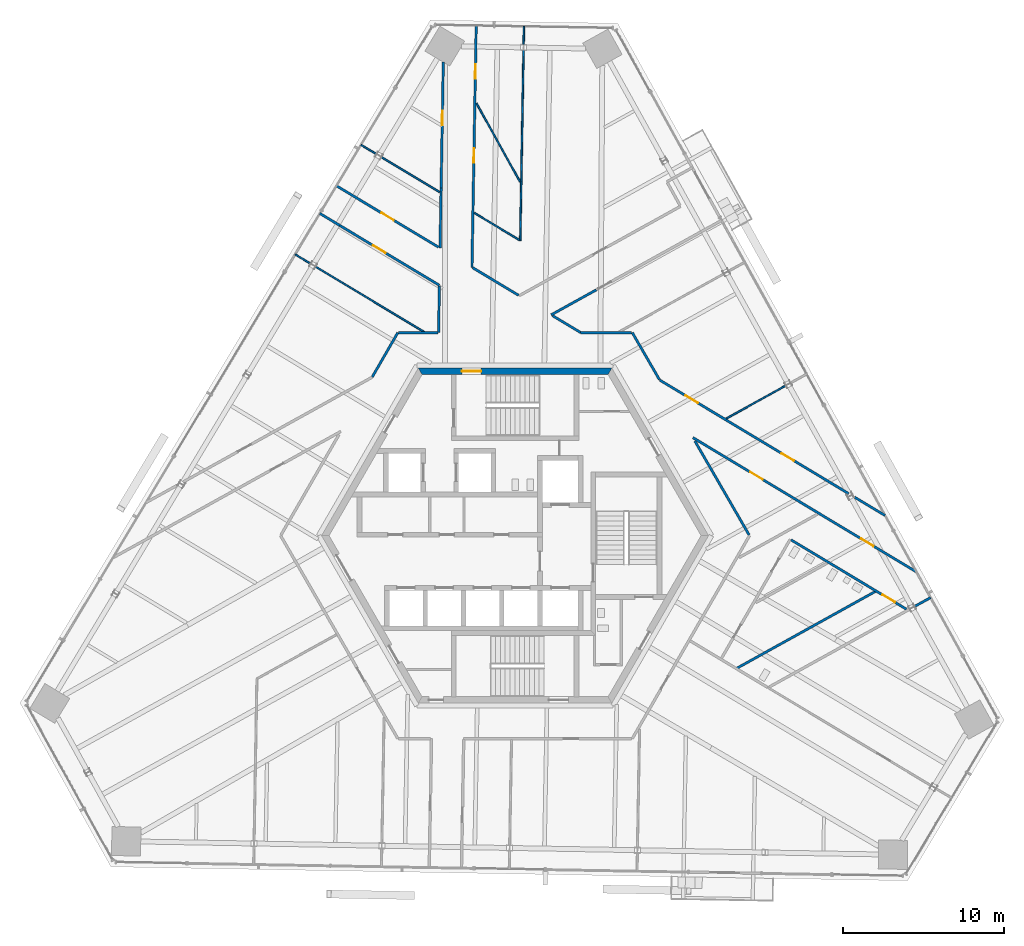
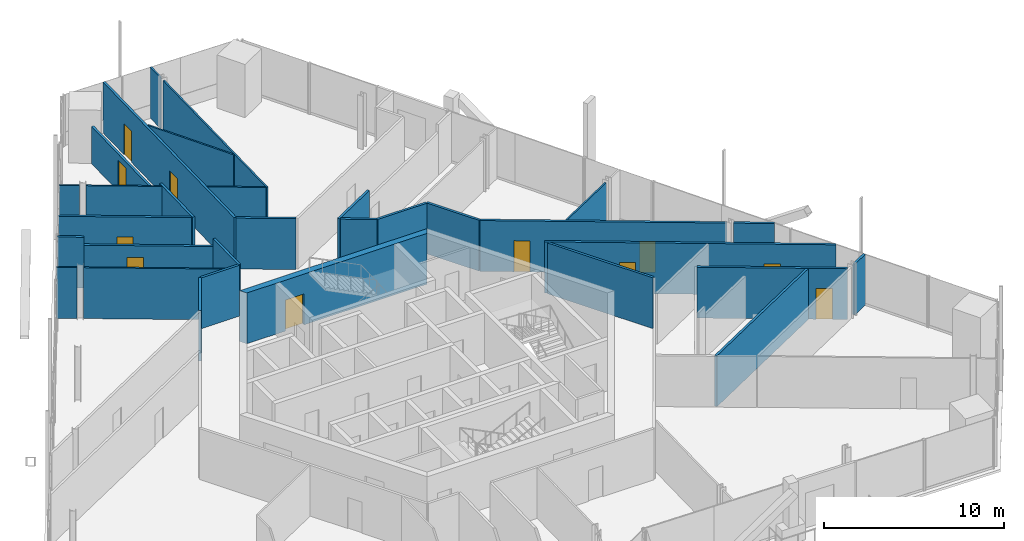
# One storey, part 14 of 21: 31 walls, 11 doors, 11 openings.
"""IFC4 building model written with IfcOpenShell, lengths in metres."""

from ifc_helpers import new_model, si_unit, direction, frame, frame_2d, origin, place, context, subcontext, project, spatial, polyline, rectangle, outline, extrude, source, transform, mapped, material, layer, layer_set, type_object, element, fill, save


model = new_model("IFC4")

# Units and contexts
model_context = context("Model", 3, precision=1e-05, world=origin(), true_north=direction((0.0, 1.0)))
body_context = subcontext(model_context, "Body", "Model", "MODEL_VIEW")
ifc_project = project(units=[si_unit("LENGTHUNIT", "METRE"), si_unit("AREAUNIT", "SQUARE_METRE"), si_unit("VOLUMEUNIT", "CUBIC_METRE"), si_unit("PLANEANGLEUNIT", "RADIAN"), si_unit("MASSUNIT", "GRAM", prefix="KILO")], contexts=[model_context])

# Site, building, storey
site_placement = place(None, origin())
site = spatial("IfcSite", under=ifc_project, at=site_placement, CompositionType="ELEMENT")
building_placement = place(site_placement, origin())
building = spatial("IfcBuilding", under=site, at=building_placement, Name="Triune Harvest Tower", CompositionType="ELEMENT")
storey_placement = place(building_placement, frame((0.0, 0.0, 201.5)))
storey = spatial("IfcBuildingStorey", under=building, at=storey_placement, Name="L52", CompositionType="ELEMENT", Elevation=201.5)

# Wall, opening, door
ifc_material_1 = material(Name="Gypsum board on steel studs", Category="steel")
ifc_layer_1 = layer(ifc_material_1, 0.14990234375)
ifc_layer_set_1 = layer_set([ifc_layer_1], Name="Gypsum board on steel studs")
wall_type_1 = type_object("IfcWallType", Name="Fire Partition 150 mm", PredefinedType="PARTITIONING", material=ifc_layer_set_1)
wall_1_placement = place(storey_placement, frame((-10.86767578125, 19.235595703125, 0.0), z_axis=(0.0, 0.0, 1.0), x_axis=(0.857163785193, -0.515043925654, 0.0)))
wall_1 = element("IfcWall", 1, at=wall_1_placement, inside=storey, type_object=wall_type_1, Name="Partition L52 012a", PredefinedType="PARTITIONING", context=body_context, shape_type="SweptSolid", body=[
    extrude(rectangle(XDim=7.203125, YDim=0.14990234375, at=frame_2d((3.6015625, 0.0))), origin(), (0.0, 0.0, 1.0), 2.904052734375),
])
opening_1_placement = place(wall_1_placement, frame((2.3955078125, 0.0, 0.0)))
opening_1 = element("IfcOpeningElement", 2, at=opening_1_placement, cuts=wall_1, Name="Opening L52-013", PredefinedType="OPENING", context=body_context, shape_type="SweptSolid", body=[
    extrude(rectangle(XDim=0.89990234375, YDim=2.10009765625, at=frame_2d((0.449951171875, 1.050048828125))), frame((0.0, 0.0849609375, 0.0), z_axis=(0.0, -1.0, 0.0), x_axis=(1.0, 0.0, 0.0)), (0.0, 0.0, 1.0), 0.169921875),
])
ifc_material_2 = material(Name="Timber and steel door set", Category="steel")
door_type_1 = type_object("IfcDoorType", Name="Single leaf door FD30 right hand 900 x 2100", OperationType="SINGLE_SWING_RIGHT", PredefinedType="DOOR", material=ifc_material_2)
door_1_placement = place(opening_1_placement, origin())
door_1 = element("IfcDoor", 3, at=door_1_placement, inside=storey, type_object=door_type_1, Name="Door L52-013 Meeting Room 52.13", OperationType="SINGLE_SWING_RIGHT", OverallHeight=2.10009765625, OverallWidth=0.89990234375, PredefinedType="DOOR", context=body_context, shape_type="SweptSolid", body=[
    extrude(rectangle(XDim=0.89990234375, YDim=2.10009765625, at=frame_2d((0.449951171875, 1.050048828125))), frame((0.0, 0.02490234375, 0.0), z_axis=(0.0, -1.0, 0.0), x_axis=(1.0, 0.0, 0.0)), (0.0, 0.0, 1.0), 0.050048828125),
])
fill(opening_1, door_1)

wall_2_placement = place(storey_placement, frame((-4.587890625, 21.5732421875, 0.0), z_axis=(0.0, 0.0, 1.0), x_axis=(0.017477005047, 0.999847265483, 0.0)))
wall_2 = element("IfcWall", 4, at=wall_2_placement, inside=storey, type_object=wall_type_1, Name="Partition L52 056a", PredefinedType="PARTITIONING", context=body_context, shape_type="SweptSolid", body=[
    extrude(rectangle(XDim=7.808837890625, YDim=0.14990234375, at=frame_2d((3.904296875, 0.0))), origin(), (0.0, 0.0, 1.0), 2.51806640625),
])
opening_2_placement = place(wall_2_placement, frame((3.87353515625, 0.0, 0.0)))
opening_2 = element("IfcOpeningElement", 5, at=opening_2_placement, cuts=wall_2, Name="Opening L52-011", PredefinedType="OPENING", context=body_context, shape_type="SweptSolid", body=[
    extrude(rectangle(XDim=0.89990234375, YDim=2.10009765625, at=frame_2d((0.449951171875, 1.050048828125))), frame((0.0, 0.0849609375, 0.0), z_axis=(0.0, -1.0, 0.0), x_axis=(1.0, 0.0, 0.0)), (0.0, 0.0, 1.0), 0.169921875),
])
door_2_placement = place(opening_2_placement, origin())
door_2 = element("IfcDoor", 6, at=door_2_placement, inside=storey, type_object=door_type_1, Name="Door L52-011 Meeting Room 52.11", OperationType="SINGLE_SWING_RIGHT", OverallHeight=2.10009765625, OverallWidth=0.89990234375, PredefinedType="DOOR", context=body_context, shape_type="SweptSolid", body=[
    extrude(rectangle(XDim=0.89990234375, YDim=2.10009765625, at=frame_2d((0.449951171875, 1.050048828125))), frame((0.0, 0.02490234375, 0.0), z_axis=(0.0, -1.0, 0.0), x_axis=(1.0, 0.0, 0.0)), (0.0, 0.0, 1.0), 0.050048828125),
])
fill(opening_2, door_2)

ifc_material_3 = material(Name="Concrete 70 MPa", Category="concrete")
ifc_layer_2 = layer(ifc_material_3, 0.39990234375)
ifc_layer_set_2 = layer_set([ifc_layer_2], Name="Concrete 70 MPa")
wall_type_2 = type_object("IfcWallType", Name="Core wall 400", PredefinedType="SHEAR", material=ifc_layer_set_2)
shared_shape_1 = source(origin(), body_context, "Body", "SweptSolid", [
    extrude(outline(polyline([(-0.115478515625, -0.199951171875), (11.884521484375, -0.199951171875), (11.653564453125, 0.199951171875), (0.115478515625, 0.199951171875), (-0.115478515625, -0.199951171875)])), origin(), (0.0, 0.0, 1.0), 3.43994140625),
])
wall_3_placement = place(storey_placement, frame((5.884521484375, 10.1923828125, 0.0), z_axis=(0.0, 0.0, 1.0), x_axis=(-1.0, 0.0, 0.0)))
wall_3 = element("IfcWall", 7, at=wall_3_placement, inside=storey, type_object=wall_type_2, Name="Hexagon 1 wall", PredefinedType="SHEAR", context=body_context, shape_type="MappedRepresentation", body=[
    mapped(shared_shape_1, transform((0.0, 0.0, 0.0), scale=1.0)),
])
opening_3_placement = place(wall_3_placement, frame((7.984619140625, 0.0, 0.0)))
opening_3 = element("IfcOpeningElement", 8, at=opening_3_placement, cuts=wall_3, Name="Opening CD-S1P", PredefinedType="OPENING", context=body_context, shape_type="SweptSolid", body=[
    extrude(rectangle(XDim=1.199951171875, YDim=2.10009765625, at=frame_2d((0.60009765625, 1.050048828125))), frame((0.0, 0.2099609375, 0.0), z_axis=(0.0, -1.0, 0.0), x_axis=(1.0, 0.0, 0.0)), (0.0, 0.0, 1.0), 0.419921875),
])
ifc_material_4 = material(Name="Steel S235", Category="steel")
door_type_2 = type_object("IfcDoorType", Name="Stair door 1200 FD120", OperationType="SINGLE_SWING_LEFT", PredefinedType="DOOR", material=ifc_material_4)
door_3_placement = place(opening_3_placement, frame((1.199951171875, 0.0, 0.0), z_axis=(0.0, 0.0, 1.0), x_axis=(-1.0, 0.0, 0.0)))
door_3 = element("IfcDoor", 9, at=door_3_placement, inside=storey, type_object=door_type_2, Name="Door CD-S1P", OperationType="SINGLE_SWING_RIGHT", OverallHeight=2.10009765625, OverallWidth=1.199951171875, PredefinedType="DOOR", context=body_context, shape_type="SweptSolid", body=[
    extrude(rectangle(XDim=1.199951171875, YDim=2.10009765625, at=frame_2d((0.60009765625, 1.050048828125))), frame((0.0, 0.02490234375, 0.0), z_axis=(0.0, -1.0, 0.0), x_axis=(1.0, 0.0, 0.0)), (0.0, 0.0, 1.0), 0.050048828125),
])
fill(opening_3, door_3)

# Walls
ifc_material_5 = material(Name="Gypsum board on steel studs", Category="steel")
ifc_layer_3 = layer(ifc_material_5, 0.10009765625)
ifc_layer_set_3 = layer_set([ifc_layer_3], Name="Gypsum board on steel studs")
wall_type_3 = type_object("IfcWallType", Name="Partition 100 mm", PredefinedType="PARTITIONING", material=ifc_layer_set_3)
shared_shape_2 = source(origin(), body_context, "Body", "SweptSolid", [
    extrude(rectangle(XDim=1.13037109375, YDim=0.10009765625, at=frame_2d((0.565185546875, 0.0))), origin(), (0.0, 0.0, 1.0), 3.43994140625),
])
for number, where, z_axis, x_axis, name in (
    (10, (-13.640869140625, 17.444580078125, 0.0), (0.0, 0.0, 1.0), (0.857149738065, -0.515067302919, 0.0), "Partition L52 009"),
    (11, (-9.557861328125, 24.239501953125, 0.0), (0.0, 0.0, 1.0), (0.857149738065, -0.515067302919, 0.0), "Partition L52 019"),
):
    element("IfcWall", number, at=place(storey_placement, frame(where, z_axis=z_axis, x_axis=x_axis)), inside=storey, type_object=wall_type_3, Name=name, PredefinedType="PARTITIONING", context=body_context, shape_type="MappedRepresentation", body=[
        mapped(shared_shape_2, transform((0.0, 0.0, 0.0), scale=1.0)),
    ])
shared_shape_3 = source(origin(), body_context, "Body", "SweptSolid", [
    extrude(rectangle(XDim=1.130615234375, YDim=0.10009765625, at=frame_2d((0.5654296875, 0.0))), origin(), (0.0, 0.0, 1.0), 3.43994140625),
])
wall_4_placement = place(storey_placement, frame((0.53125, 30.449951171875, 0.0), z_axis=(0.0, 0.0, 1.0), x_axis=(0.017491923839, 0.999847004596, 0.0)))
element("IfcWall", 12, at=wall_4_placement, inside=storey, type_object=wall_type_3, Name="Partition L52 051", PredefinedType="PARTITIONING", context=body_context, shape_type="MappedRepresentation", body=[
    mapped(shared_shape_3, transform((0.0, 0.0, 0.0), scale=1.0)),
])
shared_shape_4 = source(origin(), body_context, "Body", "SweptSolid", [
    extrude(rectangle(XDim=5.577392578125, YDim=0.10009765625, at=frame_2d((2.78857421875, 0.0))), origin(), (0.0, 0.0, 1.0), 3.43994140625),
])
wall_5_placement = place(storey_placement, frame((-2.39599609375, 26.822021484375, 0.0), z_axis=(0.0, 0.0, 1.0), x_axis=(0.484839929224, -0.874602905912, 0.0)))
element("IfcWall", 13, at=wall_5_placement, inside=storey, type_object=wall_type_3, Name="Partition L52 001", PredefinedType="PARTITIONING", context=body_context, shape_type="MappedRepresentation", body=[
    mapped(shared_shape_4, transform((0.0, 0.0, 0.0), scale=1.0)),
])
shared_shape_5 = source(origin(), body_context, "Body", "SweptSolid", [
    extrude(rectangle(XDim=3.377685546875, YDim=0.14990234375, at=frame_2d((1.68896484375, 0.0))), origin(), (0.0, 0.0, 1.0), 3.43994140625),
])
wall_6_placement = place(storey_placement, frame((7.270263671875, 12.59228515625, 0.0), z_axis=(0.0, 0.0, 1.0), x_axis=(0.499956039503, -0.866050782901, 0.0)))
element("IfcWall", 14, at=wall_6_placement, inside=storey, type_object=wall_type_1, Name="Partition L52 004", PredefinedType="PARTITIONING", context=body_context, shape_type="MappedRepresentation", body=[
    mapped(shared_shape_5, transform((0.0, 0.0, 0.0), scale=1.0)),
])
shared_shape_6 = source(origin(), body_context, "Body", "SweptSolid", [
    extrude(rectangle(XDim=6.727294921875, YDim=0.14990234375, at=frame_2d((3.36376953125, 0.0))), origin(), (0.0, 0.0, 1.0), 3.43994140625),
])
wall_7_placement = place(storey_placement, frame((11.151611328125, 5.869140625, 0.0), z_axis=(0.0, 0.0, 1.0), x_axis=(0.500018794853, -0.866014552299, 0.0)))
element("IfcWall", 15, at=wall_7_placement, inside=storey, type_object=wall_type_1, Name="Partition L52 005", PredefinedType="PARTITIONING", context=body_context, shape_type="MappedRepresentation", body=[
    mapped(shared_shape_6, transform((0.0, 0.0, 0.0), scale=1.0)),
])
shared_shape_7 = source(origin(), body_context, "Body", "SweptSolid", [
    extrude(rectangle(XDim=7.947265625, YDim=0.10009765625, at=frame_2d((3.9736328125, 0.0))), origin(), (0.0, 0.0, 1.0), 3.43994140625),
])
wall_8_placement = place(storey_placement, frame((-12.377685546875, 16.685302734375, 0.0), z_axis=(0.0, 0.0, 1.0), x_axis=(0.857178338014, -0.515019705293, 0.0)))
element("IfcWall", 16, at=wall_8_placement, inside=storey, type_object=wall_type_3, Name="Partition L52 010", PredefinedType="PARTITIONING", context=body_context, shape_type="MappedRepresentation", body=[
    mapped(shared_shape_7, transform((0.0, 0.0, 0.0), scale=1.0)),
])

# Wall, opening, door
shared_shape_8 = source(origin(), body_context, "Body", "SweptSolid", [
    extrude(rectangle(XDim=8.35302734375, YDim=0.14990234375, at=frame_2d((4.176513671875, 0.0))), origin(), (0.0, 0.0, 1.0), 3.43994140625),
])
wall_9_placement = place(storey_placement, frame((17.114501953125, -0.260986328125, 0.0), z_axis=(0.0, 0.0, 1.0), x_axis=(0.857172970092, -0.515028639343, 0.0)))
wall_9 = element("IfcWall", 17, at=wall_9_placement, inside=storey, type_object=wall_type_1, Name="Partition L52 011", PredefinedType="PARTITIONING", context=body_context, shape_type="MappedRepresentation", body=[
    mapped(shared_shape_8, transform((0.0, 0.0, 0.0), scale=1.0)),
])
opening_4_placement = place(wall_9_placement, frame((6.612060546875, 0.0, 0.0)))
opening_4 = element("IfcOpeningElement", 18, at=opening_4_placement, cuts=wall_9, Name="Opening L52-002", PredefinedType="OPENING", context=body_context, shape_type="SweptSolid", body=[
    extrude(rectangle(XDim=0.89990234375, YDim=2.10009765625, at=frame_2d((0.449951171875, 1.050048828125))), frame((0.0, 0.0849609375, 0.0), z_axis=(0.0, -1.0, 0.0), x_axis=(1.0, 0.0, 0.0)), (0.0, 0.0, 1.0), 0.169921875),
])
ifc_material_6 = material(Name="Timber and steel door set", Category="steel")
door_type_3 = type_object("IfcDoorType", Name="Single leaf door FD30 left hand 900 x 2100", OperationType="SINGLE_SWING_LEFT", PredefinedType="DOOR", material=ifc_material_6)
door_4_placement = place(opening_4_placement, origin())
door_4 = element("IfcDoor", 19, at=door_4_placement, inside=storey, type_object=door_type_3, Name="Door L52-002 Women's WC 52.02", OperationType="SINGLE_SWING_LEFT", OverallHeight=2.10009765625, OverallWidth=0.89990234375, PredefinedType="DOOR", context=body_context, shape_type="SweptSolid", body=[
    extrude(rectangle(XDim=0.89990234375, YDim=2.10009765625, at=frame_2d((0.449951171875, 1.050048828125))), frame((0.0, 0.02490234375, 0.0), z_axis=(0.0, -1.0, 0.0), x_axis=(1.0, 0.0, 0.0)), (0.0, 0.0, 1.0), 0.050048828125),
])
fill(opening_4, door_4)

# Wall
shared_shape_9 = source(origin(), body_context, "Body", "SweptSolid", [
    extrude(rectangle(XDim=1.45458984375, YDim=0.14990234375, at=frame_2d((0.727294921875, 0.0))), origin(), (0.0, 0.0, 1.0), 3.43994140625),
])
wall_10_placement = place(storey_placement, frame((-12.114501953125, 19.984619140625, 0.0), z_axis=(0.0, 0.0, 1.0), x_axis=(0.857211401393, -0.514964671916, 0.0)))
element("IfcWall", 20, at=wall_10_placement, inside=storey, type_object=wall_type_1, Name="Partition L52 012", PredefinedType="PARTITIONING", context=body_context, shape_type="MappedRepresentation", body=[
    mapped(shared_shape_9, transform((0.0, 0.0, 0.0), scale=1.0)),
])

# Wall, openings, doors
shared_shape_10 = source(origin(), body_context, "Body", "SweptSolid", [
    extrude(rectangle(XDim=16.16455078125, YDim=0.14990234375, at=frame_2d((8.082275390625, 0.0))), origin(), (0.0, 0.0, 1.0), 3.43994140625),
])
wall_11_placement = place(storey_placement, frame((11.03173828125, 6.0771484375, 0.0), z_axis=(0.0, 0.0, 1.0), x_axis=(0.857164918377, -0.515042039744, 0.0)))
wall_11 = element("IfcWall", 21, at=wall_11_placement, inside=storey, type_object=wall_type_1, Name="Partition L52 013", PredefinedType="PARTITIONING", context=body_context, shape_type="MappedRepresentation", body=[
    mapped(shared_shape_10, transform((0.0, 0.0, 0.0), scale=1.0)),
])
opening_5_placement = place(wall_11_placement, frame((12.165283203125, 0.0, 0.0)))
opening_5 = element("IfcOpeningElement", 22, at=opening_5_placement, cuts=wall_11, Name="Opening L52-001", PredefinedType="OPENING", context=body_context, shape_type="SweptSolid", body=[
    extrude(rectangle(XDim=0.89990234375, YDim=2.10009765625, at=frame_2d((0.449951171875, 1.050048828125))), frame((0.0, 0.0849609375, 0.0), z_axis=(0.0, -1.0, 0.0), x_axis=(1.0, 0.0, 0.0)), (0.0, 0.0, 1.0), 0.169921875),
])
opening_6_placement = place(wall_11_placement, frame((4.14990234375, 0.0, 0.0)))
opening_6 = element("IfcOpeningElement", 23, at=opening_6_placement, cuts=wall_11, Name="Opening L52-005", PredefinedType="OPENING", context=body_context, shape_type="SweptSolid", body=[
    extrude(rectangle(XDim=0.89990234375, YDim=2.10009765625, at=frame_2d((0.449951171875, 1.050048828125))), frame((0.0, 0.0849609375, 0.0), z_axis=(0.0, -1.0, 0.0), x_axis=(1.0, 0.0, 0.0)), (0.0, 0.0, 1.0), 0.169921875),
])
door_5_placement = place(opening_5_placement, origin())
door_5 = element("IfcDoor", 24, at=door_5_placement, inside=storey, type_object=door_type_3, Name="Door L52-001 WC lobby 52.01", OperationType="SINGLE_SWING_LEFT", OverallHeight=2.10009765625, OverallWidth=0.89990234375, PredefinedType="DOOR", context=body_context, shape_type="SweptSolid", body=[
    extrude(rectangle(XDim=0.89990234375, YDim=2.10009765625, at=frame_2d((0.449951171875, 1.050048828125))), frame((0.0, 0.02490234375, 0.0), z_axis=(0.0, -1.0, 0.0), x_axis=(1.0, 0.0, 0.0)), (0.0, 0.0, 1.0), 0.050048828125),
])
fill(opening_5, door_5)
door_6_placement = place(opening_6_placement, origin())
door_6 = element("IfcDoor", 25, at=door_6_placement, inside=storey, type_object=door_type_1, Name="Door L52-005 Meeting Room 52.05", OperationType="SINGLE_SWING_RIGHT", OverallHeight=2.10009765625, OverallWidth=0.89990234375, PredefinedType="DOOR", context=body_context, shape_type="SweptSolid", body=[
    extrude(rectangle(XDim=0.89990234375, YDim=2.10009765625, at=frame_2d((0.449951171875, 1.050048828125))), frame((0.0, 0.02490234375, 0.0), z_axis=(0.0, -1.0, 0.0), x_axis=(1.0, 0.0, 0.0)), (0.0, 0.0, 1.0), 0.050048828125),
])
fill(opening_6, door_6)

# Wall, opening, door
shared_shape_11 = source(origin(), body_context, "Body", "SweptSolid", [
    extrude(rectangle(XDim=7.392822265625, YDim=0.14990234375, at=frame_2d((3.6962890625, 0.0))), origin(), (0.0, 0.0, 1.0), 3.43994140625),
])
wall_12_placement = place(storey_placement, frame((-11.08447265625, 21.69921875, 0.0), z_axis=(0.0, 0.0, 1.0), x_axis=(0.85716640011, -0.515039573744, 0.0)))
wall_12 = element("IfcWall", 26, at=wall_12_placement, inside=storey, type_object=wall_type_1, Name="Partition L52 014", PredefinedType="PARTITIONING", context=body_context, shape_type="MappedRepresentation", body=[
    mapped(shared_shape_11, transform((0.0, 0.0, 0.0), scale=1.0)),
])
opening_7_placement = place(wall_12_placement, frame((3.2529296875, 0.0, 0.0)))
opening_7 = element("IfcOpeningElement", 27, at=opening_7_placement, cuts=wall_12, Name="Opening L52-014", PredefinedType="OPENING", context=body_context, shape_type="SweptSolid", body=[
    extrude(rectangle(XDim=0.89990234375, YDim=2.10009765625, at=frame_2d((0.449951171875, 1.050048828125))), frame((0.0, 0.0849609375, 0.0), z_axis=(0.0, -1.0, 0.0), x_axis=(1.0, 0.0, 0.0)), (0.0, 0.0, 1.0), 0.169921875),
])
door_7_placement = place(opening_7_placement, origin())
door_7 = element("IfcDoor", 28, at=door_7_placement, inside=storey, type_object=door_type_3, Name="Door L52-014 Office 52.14", OperationType="SINGLE_SWING_LEFT", OverallHeight=2.10009765625, OverallWidth=0.89990234375, PredefinedType="DOOR", context=body_context, shape_type="SweptSolid", body=[
    extrude(rectangle(XDim=0.89990234375, YDim=2.10009765625, at=frame_2d((0.449951171875, 1.050048828125))), frame((0.0, 0.02490234375, 0.0), z_axis=(0.0, -1.0, 0.0), x_axis=(1.0, 0.0, 0.0)), (0.0, 0.0, 1.0), 0.050048828125),
])
fill(opening_7, door_7)

# Walls
shared_shape_12 = source(origin(), body_context, "Body", "SweptSolid", [
    extrude(rectangle(XDim=3.322021484375, YDim=0.14990234375, at=frame_2d((1.6611328125, 0.0))), origin(), (0.0, 0.0, 1.0), 3.43994140625),
])
wall_13_placement = place(storey_placement, frame((-2.630615234375, 16.619384765625, 0.0), z_axis=(0.0, 0.0, 1.0), x_axis=(0.857181519157, -0.515014410687, 0.0)))
element("IfcWall", 29, at=wall_13_placement, inside=storey, type_object=wall_type_1, Name="Partition L52 015", PredefinedType="PARTITIONING", context=body_context, shape_type="MappedRepresentation", body=[
    mapped(shared_shape_12, transform((0.0, 0.0, 0.0), scale=1.0)),
])
shared_shape_13 = source(origin(), body_context, "Body", "SweptSolid", [
    extrude(rectangle(XDim=2.0078125, YDim=0.14990234375, at=frame_2d((1.00390625, 0.0))), origin(), (0.0, 0.0, 1.0), 3.43994140625),
])
wall_14_placement = place(storey_placement, frame((2.333740234375, 13.63671875, 0.0), z_axis=(0.0, 0.0, 1.0), x_axis=(0.857138660231, -0.515085737656, 0.0)))
element("IfcWall", 30, at=wall_14_placement, inside=storey, type_object=wall_type_1, Name="Partition L52 016", PredefinedType="PARTITIONING", context=body_context, shape_type="MappedRepresentation", body=[
    mapped(shared_shape_13, transform((0.0, 0.0, 0.0), scale=1.0)),
])

# Wall, openings, doors
shared_shape_14 = source(origin(), body_context, "Body", "SweptSolid", [
    extrude(rectangle(XDim=13.67578125, YDim=0.14990234375, at=frame_2d((6.837890625, 0.0))), origin(), (0.0, 0.0, 1.0), 3.43994140625),
])
wall_15_placement = place(storey_placement, frame((8.968994140625, 9.64990234375, 0.0), z_axis=(0.0, 0.0, 1.0), x_axis=(0.857161962127, -0.515046959686, 0.0)))
wall_15 = element("IfcWall", 31, at=wall_15_placement, inside=storey, type_object=wall_type_1, Name="Partition L52 017", PredefinedType="PARTITIONING", context=body_context, shape_type="MappedRepresentation", body=[
    mapped(shared_shape_14, transform((0.0, 0.0, 0.0), scale=1.0)),
])
opening_8_placement = place(wall_15_placement, frame((8.828369140625, 0.0, 0.0)))
opening_8 = element("IfcOpeningElement", 32, at=opening_8_placement, cuts=wall_15, Name="Opening L52-006", PredefinedType="OPENING", context=body_context, shape_type="SweptSolid", body=[
    extrude(rectangle(XDim=0.89990234375, YDim=2.10009765625, at=frame_2d((0.449951171875, 1.050048828125))), frame((0.0, 0.0849609375, 0.0), z_axis=(0.0, -1.0, 0.0), x_axis=(1.0, 0.0, 0.0)), (0.0, 0.0, 1.0), 0.169921875),
])
opening_9_placement = place(wall_15_placement, frame((1.874755859375, 0.0, 0.0)))
opening_9 = element("IfcOpeningElement", 33, at=opening_9_placement, cuts=wall_15, Name="Opening L52-007", PredefinedType="OPENING", context=body_context, shape_type="SweptSolid", body=[
    extrude(rectangle(XDim=0.89990234375, YDim=2.10009765625, at=frame_2d((0.449951171875, 1.050048828125))), frame((0.0, 0.0849609375, 0.0), z_axis=(0.0, -1.0, 0.0), x_axis=(1.0, 0.0, 0.0)), (0.0, 0.0, 1.0), 0.169921875),
])
door_8_placement = place(opening_9_placement, origin())
door_8 = element("IfcDoor", 34, at=door_8_placement, inside=storey, type_object=door_type_3, Name="Door L52-007 Project Room 52.07", OperationType="SINGLE_SWING_LEFT", OverallHeight=2.10009765625, OverallWidth=0.89990234375, PredefinedType="DOOR", context=body_context, shape_type="SweptSolid", body=[
    extrude(rectangle(XDim=0.89990234375, YDim=2.10009765625, at=frame_2d((0.449951171875, 1.050048828125))), frame((0.0, 0.02490234375, 0.0), z_axis=(0.0, -1.0, 0.0), x_axis=(1.0, 0.0, 0.0)), (0.0, 0.0, 1.0), 0.050048828125),
])
fill(opening_9, door_8)
door_9_placement = place(opening_8_placement, origin())
door_9 = element("IfcDoor", 35, at=door_9_placement, inside=storey, type_object=door_type_1, Name="Door L52-006 Meeting Room 52.06", OperationType="SINGLE_SWING_RIGHT", OverallHeight=2.10009765625, OverallWidth=0.89990234375, PredefinedType="DOOR", context=body_context, shape_type="SweptSolid", body=[
    extrude(rectangle(XDim=0.89990234375, YDim=2.10009765625, at=frame_2d((0.449951171875, 1.050048828125))), frame((0.0, 0.02490234375, 0.0), z_axis=(0.0, -1.0, 0.0), x_axis=(1.0, 0.0, 0.0)), (0.0, 0.0, 1.0), 0.050048828125),
])
fill(opening_8, door_9)

# Walls
shared_shape_15 = source(origin(), body_context, "Body", "SweptSolid", [
    extrude(rectangle(XDim=2.260986328125, YDim=0.14990234375, at=frame_2d((1.13037109375, 0.0))), origin(), (0.0, 0.0, 1.0), 3.43994140625),
])
wall_16_placement = place(storey_placement, frame((21.010009765625, 2.4150390625, 0.0), z_axis=(0.0, 0.0, 1.0), x_axis=(0.857149738065, -0.515067302919, 0.0)))
element("IfcWall", 36, at=wall_16_placement, inside=storey, type_object=wall_type_1, Name="Partition L52 018", PredefinedType="PARTITIONING", context=body_context, shape_type="MappedRepresentation", body=[
    mapped(shared_shape_15, transform((0.0, 0.0, 0.0), scale=1.0)),
])
shared_shape_16 = source(origin(), body_context, "Body", "SweptSolid", [
    extrude(rectangle(XDim=4.228271484375, YDim=0.10009765625, at=frame_2d((2.1142578125, 0.0))), origin(), (0.0, 0.0, 1.0), 3.43994140625),
])
for number, where, z_axis, x_axis, name in (
    (37, (-8.294677734375, 23.48046875, 0.0), (0.0, 0.0, 1.0), (0.85716158784, -0.515047582589, 0.0), "Partition L52 020"),
    (38, (13.097412109375, 7.260009765625, 0.0), (0.0, 0.0, 1.0), (0.874636196138, 0.484779872113, 0.0), "Partition L52 032"),
):
    element("IfcWall", number, at=place(storey_placement, frame(where, z_axis=z_axis, x_axis=x_axis)), inside=storey, type_object=wall_type_3, Name=name, PredefinedType="PARTITIONING", context=body_context, shape_type="MappedRepresentation", body=[
        mapped(shared_shape_16, transform((0.0, 0.0, 0.0), scale=1.0)),
    ])
shared_shape_17 = source(origin(), body_context, "Body", "SweptSolid", [
    extrude(rectangle(XDim=3.26220703125, YDim=0.10009765625, at=frame_2d((1.631103515625, 0.0))), origin(), (0.0, 0.0, 1.0), 3.43994140625),
])
wall_17_placement = place(storey_placement, frame((-2.536865234375, 20.0205078125, 0.0), z_axis=(0.0, 0.0, 1.0), x_axis=(0.857175808949, -0.515023914544, 0.0)))
element("IfcWall", 39, at=wall_17_placement, inside=storey, type_object=wall_type_3, Name="Partition L52 021", PredefinedType="PARTITIONING", context=body_context, shape_type="MappedRepresentation", body=[
    mapped(shared_shape_17, transform((0.0, 0.0, 0.0), scale=1.0)),
])
shared_shape_18 = source(origin(), body_context, "Body", "SweptSolid", [
    extrude(rectangle(XDim=2.425537109375, YDim=0.14990234375, at=frame_2d((1.212890625, 0.0))), origin(), (0.0, 0.0, 1.0), 3.43994140625),
])
wall_18_placement = place(storey_placement, frame((-7.22021484375, 12.59228515625, 0.0), z_axis=(0.0, 0.0, 1.0), x_axis=(1.0, 0.0, 0.0)))
element("IfcWall", 40, at=wall_18_placement, inside=storey, type_object=wall_type_1, Name="Partition L52 024", PredefinedType="PARTITIONING", context=body_context, shape_type="MappedRepresentation", body=[
    mapped(shared_shape_18, transform((0.0, 0.0, 0.0), scale=1.0)),
])
shared_shape_19 = source(origin(), body_context, "Body", "SweptSolid", [
    extrude(rectangle(XDim=3.1484375, YDim=0.14990234375, at=frame_2d((1.57421875, 0.0))), origin(), (0.0, 0.0, 1.0), 3.43994140625),
])
wall_19_placement = place(storey_placement, frame((4.07177734375, 12.59228515625, 0.0), z_axis=(0.0, 0.0, 1.0), x_axis=(1.0, 0.0, 0.0)))
element("IfcWall", 41, at=wall_19_placement, inside=storey, type_object=wall_type_1, Name="Partition L52 025", PredefinedType="PARTITIONING", context=body_context, shape_type="MappedRepresentation", body=[
    mapped(shared_shape_19, transform((0.0, 0.0, 0.0), scale=1.0)),
])
shared_shape_20 = source(origin(), body_context, "Body", "SweptSolid", [
    extrude(rectangle(XDim=1.130615234375, YDim=0.14990234375, at=frame_2d((0.5654296875, 0.0))), origin(), (0.0, 0.0, 1.0), 3.43994140625),
])
wall_20_placement = place(storey_placement, frame((24.7822265625, -4.390380859375, 0.0), z_axis=(0.0, 0.0, 1.0), x_axis=(0.874523703559, 0.484982774863, 0.0)))
element("IfcWall", 42, at=wall_20_placement, inside=storey, type_object=wall_type_1, Name="Partition L52 027", PredefinedType="PARTITIONING", context=body_context, shape_type="MappedRepresentation", body=[
    mapped(shared_shape_20, transform((0.0, 0.0, 0.0), scale=1.0)),
])
shared_shape_21 = source(origin(), body_context, "Body", "SweptSolid", [
    extrude(rectangle(XDim=9.919921875, YDim=0.14990234375, at=frame_2d((4.9599609375, 0.0))), origin(), (0.0, 0.0, 1.0), 3.43994140625),
])
wall_21_placement = place(storey_placement, frame((13.720458984375, -8.244140625, 0.0), z_axis=(0.0, 0.0, 1.0), x_axis=(0.874614288409, 0.484819395767, 0.0)))
element("IfcWall", 43, at=wall_21_placement, inside=storey, type_object=wall_type_1, Name="Partition L52 028", PredefinedType="PARTITIONING", context=body_context, shape_type="MappedRepresentation", body=[
    mapped(shared_shape_21, transform((0.0, 0.0, 0.0), scale=1.0)),
])
shared_shape_22 = source(origin(), body_context, "Body", "SweptSolid", [
    extrude(rectangle(XDim=3.19970703125, YDim=0.14990234375, at=frame_2d((1.599853515625, 0.0))), origin(), (0.0, 0.0, 1.0), 3.43994140625),
])
wall_22_placement = place(storey_placement, frame((2.239501953125, 13.693359375, 0.0), z_axis=(0.0, 0.0, 1.0), x_axis=(0.874621151909, 0.484807013804, 0.0)))
element("IfcWall", 44, at=wall_22_placement, inside=storey, type_object=wall_type_1, Name="Partition L52 037", PredefinedType="PARTITIONING", context=body_context, shape_type="MappedRepresentation", body=[
    mapped(shared_shape_22, transform((0.0, 0.0, 0.0), scale=1.0)),
])
shared_shape_23 = source(origin(), body_context, "Body", "SweptSolid", [
    extrude(rectangle(XDim=3.178466796875, YDim=0.14990234375, at=frame_2d((1.58935546875, 0.0))), origin(), (0.0, 0.0, 1.0), 3.43994140625),
])
wall_23_placement = place(storey_placement, frame((-8.859375, 9.839599609375, 0.0), z_axis=(0.0, 0.0, 1.0), x_axis=(0.500021643343, 0.866012907634, 0.0)))
element("IfcWall", 45, at=wall_23_placement, inside=storey, type_object=wall_type_1, Name="Partition L52 045", PredefinedType="PARTITIONING", context=body_context, shape_type="MappedRepresentation", body=[
    mapped(shared_shape_23, transform((0.0, 0.0, 0.0), scale=1.0)),
])
shared_shape_24 = source(origin(), body_context, "Body", "SweptSolid", [
    extrude(rectangle(XDim=11.80419921875, YDim=0.10009765625, at=frame_2d((5.902099609375, 0.0))), origin(), (0.0, 0.0, 1.0), 3.43994140625),
])
wall_24_placement = place(storey_placement, frame((0.3193359375, 18.30419921875, 0.0), z_axis=(0.0, 0.0, 1.0), x_axis=(0.017455917154, 0.99984763387, 0.0)))
element("IfcWall", 46, at=wall_24_placement, inside=storey, type_object=wall_type_3, Name="Partition L52 050", PredefinedType="PARTITIONING", context=body_context, shape_type="MappedRepresentation", body=[
    mapped(shared_shape_24, transform((0.0, 0.0, 0.0), scale=1.0)),
])

# Wall, openings, doors
shared_shape_25 = source(origin(), body_context, "Body", "SweptSolid", [
    extrude(rectangle(XDim=14.989013671875, YDim=0.14990234375, at=frame_2d((7.49462890625, 0.0))), origin(), (0.0, 0.0, 1.0), 3.43994140625),
])
wall_25_placement = place(storey_placement, frame((-2.673583984375, 16.645263671875, 0.0), z_axis=(0.0, 0.0, 1.0), x_axis=(0.017460603001, 0.999847552051, 0.0)))
wall_25 = element("IfcWall", 47, at=wall_25_placement, inside=storey, type_object=wall_type_1, Name="Partition L52 053", PredefinedType="PARTITIONING", context=body_context, shape_type="MappedRepresentation", body=[
    mapped(shared_shape_25, transform((0.0, 0.0, 0.0), scale=1.0)),
])
opening_10_placement = place(wall_25_placement, frame((11.703125, 0.0, 0.0)))
opening_10 = element("IfcOpeningElement", 48, at=opening_10_placement, cuts=wall_25, Name="Opening L52-010", PredefinedType="OPENING", context=body_context, shape_type="SweptSolid", body=[
    extrude(rectangle(XDim=0.89990234375, YDim=2.10009765625, at=frame_2d((0.449951171875, 1.050048828125))), frame((0.0, 0.0849609375, 0.0), z_axis=(0.0, -1.0, 0.0), x_axis=(1.0, 0.0, 0.0)), (0.0, 0.0, 1.0), 0.169921875),
])
opening_11_placement = place(wall_25_placement, frame((6.47216796875, 0.0, 0.0)))
opening_11 = element("IfcOpeningElement", 49, at=opening_11_placement, cuts=wall_25, Name="Opening L52-012", PredefinedType="OPENING", context=body_context, shape_type="SweptSolid", body=[
    extrude(rectangle(XDim=0.89990234375, YDim=2.10009765625, at=frame_2d((0.449951171875, 1.050048828125))), frame((0.0, 0.0849609375, 0.0), z_axis=(0.0, -1.0, 0.0), x_axis=(1.0, 0.0, 0.0)), (0.0, 0.0, 1.0), 0.169921875),
])
door_10_placement = place(opening_10_placement, origin())
door_10 = element("IfcDoor", 50, at=door_10_placement, inside=storey, type_object=door_type_3, Name="Door L52-010 Meeting Room 52.10", OperationType="SINGLE_SWING_LEFT", OverallHeight=2.10009765625, OverallWidth=0.89990234375, PredefinedType="DOOR", context=body_context, shape_type="SweptSolid", body=[
    extrude(rectangle(XDim=0.89990234375, YDim=2.10009765625, at=frame_2d((0.449951171875, 1.050048828125))), frame((0.0, 0.02490234375, 0.0), z_axis=(0.0, -1.0, 0.0), x_axis=(1.0, 0.0, 0.0)), (0.0, 0.0, 1.0), 0.050048828125),
])
fill(opening_10, door_10)
door_11_placement = place(opening_11_placement, origin())
door_11 = element("IfcDoor", 51, at=door_11_placement, inside=storey, type_object=door_type_1, Name="Door L52-012 Meeting Room 52.12", OperationType="SINGLE_SWING_RIGHT", OverallHeight=2.10009765625, OverallWidth=0.89990234375, PredefinedType="DOOR", context=body_context, shape_type="SweptSolid", body=[
    extrude(rectangle(XDim=0.89990234375, YDim=2.10009765625, at=frame_2d((0.449951171875, 1.050048828125))), frame((0.0, 0.02490234375, 0.0), z_axis=(0.0, -1.0, 0.0), x_axis=(1.0, 0.0, 0.0)), (0.0, 0.0, 1.0), 0.050048828125),
])
fill(opening_11, door_11)

# Walls
shared_shape_26 = source(origin(), body_context, "Body", "SweptSolid", [
    extrude(rectangle(XDim=2.8837890625, YDim=0.14990234375, at=frame_2d((1.44189453125, 0.0))), origin(), (0.0, 0.0, 1.0), 3.43994140625),
])
wall_26_placement = place(storey_placement, frame((-4.744384765625, 12.59228515625, 0.0), z_axis=(0.0, 0.0, 1.0), x_axis=(0.017440192134, 0.999847908283, 0.0)))
element("IfcWall", 52, at=wall_26_placement, inside=storey, type_object=wall_type_1, Name="Partition L52 055", PredefinedType="PARTITIONING", context=body_context, shape_type="MappedRepresentation", body=[
    mapped(shared_shape_26, transform((0.0, 0.0, 0.0), scale=1.0)),
])
shared_shape_27 = source(origin(), body_context, "Body", "SweptSolid", [
    extrude(rectangle(XDim=3.739013671875, YDim=0.14990234375, at=frame_2d((1.86962890625, 0.0))), origin(), (0.0, 0.0, 1.0), 3.43994140625),
])
wall_27_placement = place(storey_placement, frame((-4.653076171875, 17.834716796875, 0.0), z_axis=(0.0, 0.0, 1.0), x_axis=(0.017433515484, 0.999848024721, 0.0)))
element("IfcWall", 53, at=wall_27_placement, inside=storey, type_object=wall_type_1, Name="Partition L52 056", PredefinedType="PARTITIONING", context=body_context, shape_type="MappedRepresentation", body=[
    mapped(shared_shape_27, transform((0.0, 0.0, 0.0), scale=1.0)),
])

save(model, "model.ifc")
